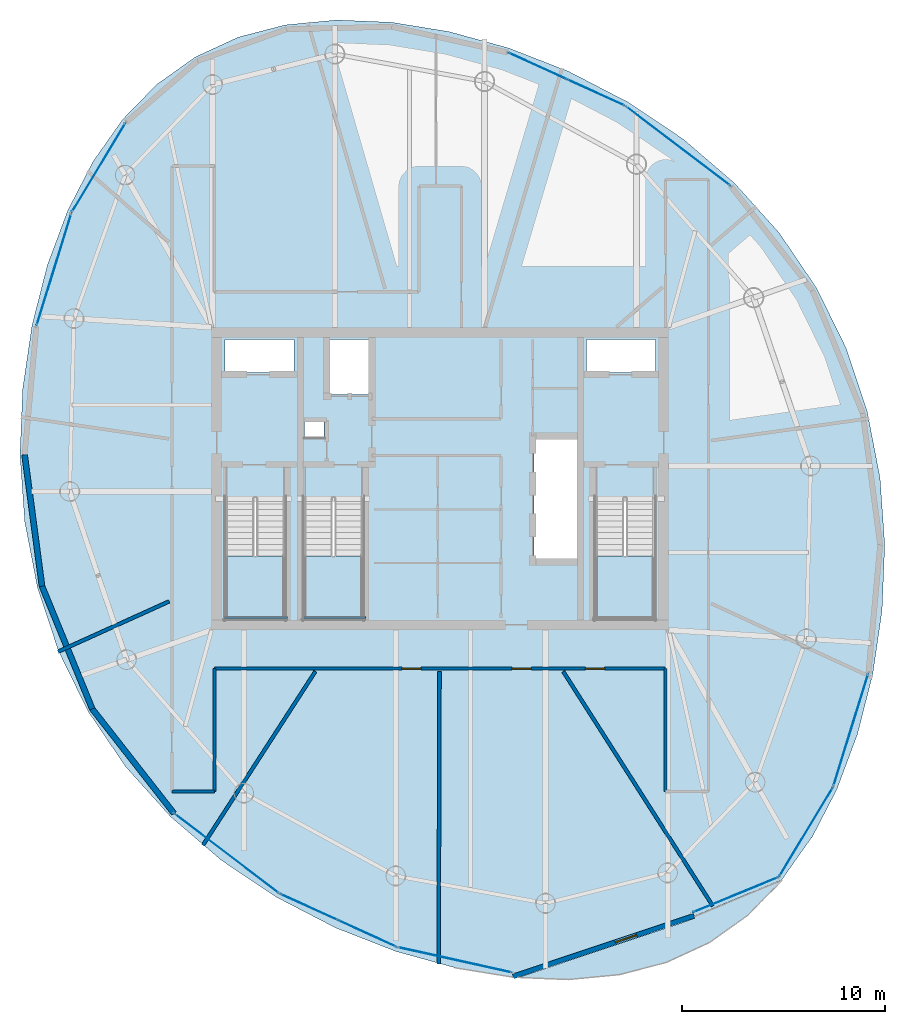
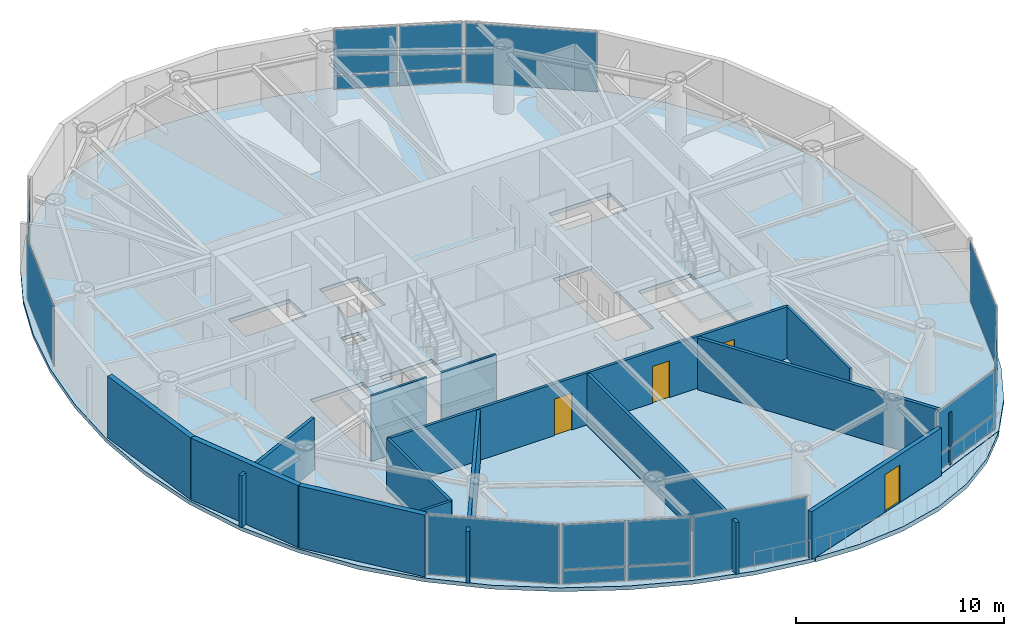
# One storey, part 13 of 19: 18 plates, 14 walls, 5 slabs, 4 doors, 4 openings, 13 elements without a shape of their own.
"""IFC4 building model written with IfcOpenShell, lengths in metres."""

from ifc_helpers import new_model, si_unit, direction, frame, frame_2d, origin, origin_2d, place, context, subcontext, project, spatial, polyline, rectangle, outline, extrude, material, layer, layer_set, type_object, element, fill, aggregate, save


model = new_model("IFC4")

# Units and contexts
model_context = context("Model", 3, precision=1e-05, world=origin(), true_north=direction((0.0, 1.0)))
body_context = subcontext(model_context, "Body", "Model", "MODEL_VIEW")
ifc_project = project(units=[si_unit("LENGTHUNIT", "METRE"), si_unit("AREAUNIT", "SQUARE_METRE"), si_unit("VOLUMEUNIT", "CUBIC_METRE"), si_unit("PLANEANGLEUNIT", "RADIAN"), si_unit("MASSUNIT", "GRAM", prefix="KILO")], contexts=[model_context])

# Site, building, storey
site_placement = place(None, origin())
site = spatial("IfcSite", under=ifc_project, at=site_placement, CompositionType="ELEMENT")
building_placement = place(site_placement, origin())
building = spatial("IfcBuilding", under=site, at=building_placement, Name="Bramvorn Convention Spire", CompositionType="ELEMENT")
storey_placement = place(building_placement, frame((0.0, 0.0, 272.85009765625)))
storey = spatial("IfcBuildingStorey", under=building, at=storey_placement, Name="L69", CompositionType="ELEMENT", Elevation=272.85009765625)

# Curtain wall, plate
ifc_material_1 = material(Name="Anodised Bronze Unitised Curtain Wall", Category="aluminium")
ifc_layer_1 = layer(ifc_material_1, 0.179931640625)
ifc_layer_set_1 = layer_set([ifc_layer_1], Name="Anodised Bronze Unitised Curtain Wall - CW-OFF-FRIT")
curtain_wall_type_1 = type_object("IfcCurtainWallType", Name="CW-OFF-FRIT", PredefinedType="USERDEFINED", material=ifc_layer_set_1)
curtain_wall_1_placement = place(storey_placement, origin())
curtain_wall_1 = element("IfcCurtainWall", 1, at=curtain_wall_1_placement, inside=storey, type_object=curtain_wall_type_1, Name="L69 fritted glass curtain wall 03", ObjectType="UNITISED CURTAIN WALL", PredefinedType="USERDEFINED")
ifc_material_2 = material(Name="Laminated Low-E Glass (Triple IGU High-VLT Low-Iron 22%)", Category="glass")
ifc_layer_2 = layer(ifc_material_2, 0.0419921875)
ifc_layer_set_2 = layer_set([ifc_layer_2], Name="Laminated Low-E Glass (Triple IGU High-VLT Low-Iron 22%) - PNL-IGU-4")
plate_type_1 = type_object("IfcPlateType", Name="PNL-IGU-4", PredefinedType="CURTAIN_PANEL", material=ifc_layer_set_2)
plate_1_placement = place(storey_placement, frame((58.212890625, 13.63037109375, 0.06005859375), z_axis=(0.0, 0.0, 1.0), x_axis=(-0.295804972935, -0.955248354087, 0.0)))
plate_1 = element("IfcPlate", 2, at=plate_1_placement, type_object=plate_type_1, Name="CW3 panel 1.1", PredefinedType="CURTAIN_PANEL", context=body_context, shape_type="SweptSolid", body=[
    extrude(rectangle(XDim=5.739990234375, YDim=0.028076171875, at=origin_2d()), origin(), (0.0, 0.0, 1.0), 3.5048828125),
])
aggregate(curtain_wall_1, [plate_1])

curtain_wall_2_placement = place(storey_placement, origin())
curtain_wall_2 = element("IfcCurtainWall", 3, at=curtain_wall_2_placement, inside=storey, type_object=curtain_wall_type_1, Name="L69 fritted glass curtain wall 08", ObjectType="UNITISED CURTAIN WALL", PredefinedType="USERDEFINED")
plate_2_placement = place(storey_placement, frame((49.708984375, 42.373779296875, 0.06005859375), z_axis=(0.0, 0.0, 1.0), x_axis=(0.796081283807, -0.605189713703, 0.0)))
plate_2 = element("IfcPlate", 4, at=plate_2_placement, type_object=plate_type_1, Name="CW3 panel 1.1", PredefinedType="CURTAIN_PANEL", context=body_context, shape_type="SweptSolid", body=[
    extrude(rectangle(XDim=6.40625, YDim=0.028076171875, at=origin_2d()), origin(), (0.0, 0.0, 1.0), 3.5048828125),
])
aggregate(curtain_wall_2, [plate_2])

# Curtain wall, plates
curtain_wall_3_placement = place(storey_placement, origin())
curtain_wall_3 = element("IfcCurtainWall", 5, at=curtain_wall_3_placement, inside=storey, type_object=curtain_wall_type_1, Name="L69 fritted glass curtain wall 09", ObjectType="UNITISED CURTAIN WALL", PredefinedType="USERDEFINED")
plate_3_placement = place(storey_placement, frame((42.793701171875, 46.313720703125, 0.059814453125), z_axis=(0.0, 0.0, 1.0), x_axis=(0.910169914936, -0.414235109502, 0.0)))
plate_3 = element("IfcPlate", 6, at=plate_3_placement, type_object=plate_type_1, Name="CW3 panel 1.1", PredefinedType="CURTAIN_PANEL", context=body_context, shape_type="SweptSolid", body=[
    extrude(rectangle(XDim=3.08251953125, YDim=0.028076171875, at=origin_2d()), origin(), (0.0, 0.0, 1.0), 0.81005859375),
])
plate_4_placement = place(storey_placement, frame((42.793701171875, 46.313720703125, 0.9296875), z_axis=(0.0, 0.0, 1.0), x_axis=(0.910169914936, -0.414235109502, 0.0)))
plate_4 = element("IfcPlate", 7, at=plate_4_placement, type_object=plate_type_1, Name="CW3 panel 1.2", PredefinedType="CURTAIN_PANEL", context=body_context, shape_type="SweptSolid", body=[
    extrude(rectangle(XDim=3.08251953125, YDim=0.028076171875, at=origin_2d()), origin(), (0.0, 0.0, 1.0), 2.635009765625),
])
plate_5_placement = place(storey_placement, frame((45.654052734375, 45.011962890625, 0.059814453125), z_axis=(0.0, 0.0, 1.0), x_axis=(0.910169914936, -0.414235109502, 0.0)))
plate_5 = element("IfcPlate", 8, at=plate_5_placement, type_object=plate_type_1, Name="CW3 panel 2.1", PredefinedType="CURTAIN_PANEL", context=body_context, shape_type="SweptSolid", body=[
    extrude(rectangle(XDim=3.08251953125, YDim=0.028076171875, at=origin_2d()), origin(), (0.0, 0.0, 1.0), 0.81005859375),
])
plate_6_placement = place(storey_placement, frame((45.654052734375, 45.011962890625, 0.9296875), z_axis=(0.0, 0.0, 1.0), x_axis=(0.910169914936, -0.414235109502, 0.0)))
plate_6 = element("IfcPlate", 9, at=plate_6_placement, type_object=plate_type_1, Name="CW3 panel 2.2", PredefinedType="CURTAIN_PANEL", context=body_context, shape_type="SweptSolid", body=[
    extrude(rectangle(XDim=3.08251953125, YDim=0.028076171875, at=origin_2d()), origin(), (0.0, 0.0, 1.0), 2.635009765625),
])
aggregate(curtain_wall_3, [plate_3, plate_4, plate_5, plate_6])

# Curtain wall, plate
curtain_wall_4_placement = place(storey_placement, origin())
curtain_wall_4 = element("IfcCurtainWall", 10, at=curtain_wall_4_placement, inside=storey, type_object=curtain_wall_type_1, Name="L69 fritted glass curtain wall 14", ObjectType="UNITISED CURTAIN WALL", PredefinedType="USERDEFINED")
plate_7_placement = place(storey_placement, frame((21.194580078125, 41.311767578125, 0.06005859375), z_axis=(0.0, 0.0, 1.0), x_axis=(0.515696319455, 0.856771443327, 0.0)))
plate_7 = element("IfcPlate", 11, at=plate_7_placement, type_object=plate_type_1, Name="CW3 panel 1.1", PredefinedType="CURTAIN_PANEL", context=body_context, shape_type="SweptSolid", body=[
    extrude(rectangle(XDim=5.059326171875, YDim=0.028076171875, at=origin_2d()), origin(), (0.0, 0.0, 1.0), 3.5048828125),
])
aggregate(curtain_wall_4, [plate_7])

curtain_wall_5_placement = place(storey_placement, origin())
curtain_wall_5 = element("IfcCurtainWall", 12, at=curtain_wall_5_placement, inside=storey, type_object=curtain_wall_type_1, Name="L69 fritted glass curtain wall 15", ObjectType="UNITISED CURTAIN WALL", PredefinedType="USERDEFINED")
plate_8_placement = place(storey_placement, frame((18.992431640625, 36.294189453125, 0.06005859375), z_axis=(0.0, 0.0, 1.0), x_axis=(0.295820544624, 0.955243531974, 0.0)))
plate_8 = element("IfcPlate", 13, at=plate_8_placement, type_object=plate_type_1, Name="CW3 panel 1.1", PredefinedType="CURTAIN_PANEL", context=body_context, shape_type="SweptSolid", body=[
    extrude(rectangle(XDim=5.739990234375, YDim=0.028076171875, at=origin_2d()), origin(), (0.0, 0.0, 1.0), 3.5048828125),
])
aggregate(curtain_wall_5, [plate_8])

curtain_wall_6_placement = place(storey_placement, origin())
curtain_wall_6 = element("IfcCurtainWall", 14, at=curtain_wall_6_placement, inside=storey, type_object=curtain_wall_type_1, Name="L69 fritted glass curtain wall 20", ObjectType="UNITISED CURTAIN WALL", PredefinedType="USERDEFINED")
plate_9_placement = place(storey_placement, frame((27.496337890625, 7.55078125, 0.06005859375), z_axis=(0.0, 0.0, 1.0), x_axis=(-0.796075671656, 0.605197095992, 0.0)))
plate_9 = element("IfcPlate", 15, at=plate_9_placement, type_object=plate_type_1, Name="CW3 panel 1.1", PredefinedType="CURTAIN_PANEL", context=body_context, shape_type="SweptSolid", body=[
    extrude(rectangle(XDim=6.40625, YDim=0.028076171875, at=origin_2d()), origin(), (0.0, 0.0, 1.0), 3.5048828125),
])
aggregate(curtain_wall_6, [plate_9])

# Curtain wall, plates
curtain_wall_7_placement = place(storey_placement, origin())
curtain_wall_7 = element("IfcCurtainWall", 16, at=curtain_wall_7_placement, inside=storey, type_object=curtain_wall_type_1, Name="L69 fritted glass curtain wall 21", ObjectType="UNITISED CURTAIN WALL", PredefinedType="USERDEFINED")
plate_10_placement = place(storey_placement, frame((34.411865234375, 3.61083984375, 0.059814453125), z_axis=(0.0, 0.0, 1.0), x_axis=(-0.910172619139, 0.414229167696, 0.0)))
plate_10 = element("IfcPlate", 17, at=plate_10_placement, type_object=plate_type_1, Name="CW3 panel 1.1", PredefinedType="CURTAIN_PANEL", context=body_context, shape_type="SweptSolid", body=[
    extrude(rectangle(XDim=3.08251953125, YDim=0.028076171875, at=origin_2d()), origin(), (0.0, 0.0, 1.0), 0.81005859375),
])
plate_11_placement = place(storey_placement, frame((34.411865234375, 3.61083984375, 0.9296875), z_axis=(0.0, 0.0, 1.0), x_axis=(-0.910172619139, 0.414229167696, 0.0)))
plate_11 = element("IfcPlate", 18, at=plate_11_placement, type_object=plate_type_1, Name="CW3 panel 1.2", PredefinedType="CURTAIN_PANEL", context=body_context, shape_type="SweptSolid", body=[
    extrude(rectangle(XDim=3.08251953125, YDim=0.028076171875, at=origin_2d()), origin(), (0.0, 0.0, 1.0), 2.635009765625),
])
plate_12_placement = place(storey_placement, frame((31.551513671875, 4.91259765625, 0.059814453125), z_axis=(0.0, 0.0, 1.0), x_axis=(-0.910172619139, 0.414229167696, 0.0)))
plate_12 = element("IfcPlate", 19, at=plate_12_placement, type_object=plate_type_1, Name="CW3 panel 2.1", PredefinedType="CURTAIN_PANEL", context=body_context, shape_type="SweptSolid", body=[
    extrude(rectangle(XDim=3.08251953125, YDim=0.028076171875, at=origin_2d()), origin(), (0.0, 0.0, 1.0), 0.81005859375),
])
plate_13_placement = place(storey_placement, frame((31.551513671875, 4.91259765625, 0.9296875), z_axis=(0.0, 0.0, 1.0), x_axis=(-0.910172619139, 0.414229167696, 0.0)))
plate_13 = element("IfcPlate", 20, at=plate_13_placement, type_object=plate_type_1, Name="CW3 panel 2.2", PredefinedType="CURTAIN_PANEL", context=body_context, shape_type="SweptSolid", body=[
    extrude(rectangle(XDim=3.08251953125, YDim=0.028076171875, at=origin_2d()), origin(), (0.0, 0.0, 1.0), 2.635009765625),
])
aggregate(curtain_wall_7, [plate_10, plate_11, plate_12, plate_13])

# Curtain wall, plate
curtain_wall_8_placement = place(storey_placement, origin())
curtain_wall_8 = element("IfcCurtainWall", 21, at=curtain_wall_8_placement, inside=storey, type_object=curtain_wall_type_1, Name="L69 fritted glass curtain wall 22", ObjectType="UNITISED CURTAIN WALL", PredefinedType="USERDEFINED")
plate_14_placement = place(storey_placement, frame((38.72998046875, 2.313720703125, 0.06005859375), z_axis=(0.0, 0.0, 1.0), x_axis=(-0.976319782802, 0.216332340877, 0.0)))
plate_14 = element("IfcPlate", 22, at=plate_14_placement, type_object=plate_type_1, Name="CW3 panel 1.1", PredefinedType="CURTAIN_PANEL", context=body_context, shape_type="SweptSolid", body=[
    extrude(rectangle(XDim=5.739990234375, YDim=0.028076171875, at=origin_2d()), origin(), (0.0, 0.0, 1.0), 3.5048828125),
])
aggregate(curtain_wall_8, [plate_14])

# Curtain wall, plates
ifc_layer_3 = layer(ifc_material_1, 0.219970703125)
ifc_layer_set_3 = layer_set([ifc_layer_3], Name="Anodised Bronze Unitised Curtain Wall - CW-SKYGARDEN")
curtain_wall_type_2 = type_object("IfcCurtainWallType", Name="CW-SKYGARDEN", PredefinedType="USERDEFINED", material=ifc_layer_set_3)
curtain_wall_9_placement = place(storey_placement, origin())
curtain_wall_9 = element("IfcCurtainWall", 23, at=curtain_wall_9_placement, inside=storey, type_object=curtain_wall_type_2, Name="L69 Sky Garden glazed facade 01", ObjectType="WINTER GARDEN GLAZING", PredefinedType="USERDEFINED")
ifc_material_3 = material(Name="Laminated Low-E Glass (Acoustic Laminated Podium Triple IGU)", Category="glass")
ifc_layer_4 = layer(ifc_material_3, 0.0458984375)
ifc_layer_set_4 = layer_set([ifc_layer_4], Name="Laminated Low-E Glass (Acoustic Laminated Podium Triple IGU) - PNL-IGU-5")
plate_type_2 = type_object("IfcPlateType", Name="PNL-IGU-5", PredefinedType="CURTAIN_PANEL", material=ifc_layer_set_4)
plate_15_placement = place(storey_placement, frame((52.541259765625, 5.516845703125, 0.06005859375), z_axis=(0.0, 0.0, 1.0), x_axis=(-0.924880367056, -0.380258210477, 0.0)))
plate_15 = element("IfcPlate", 24, at=plate_15_placement, type_object=plate_type_2, Name="CW4 panel 1.1", PredefinedType="CURTAIN_PANEL", context=body_context, shape_type="SweptSolid", body=[
    extrude(rectangle(XDim=4.494873046875, YDim=0.028076171875, at=origin_2d()), origin(), (0.0, 0.0, 1.0), 0.909912109375),
])
plate_16_placement = place(storey_placement, frame((52.541259765625, 5.516845703125, 1.02978515625), z_axis=(0.0, 0.0, 1.0), x_axis=(-0.924880367056, -0.380258210477, 0.0)))
plate_16 = element("IfcPlate", 25, at=plate_16_placement, type_object=plate_type_2, Name="CW4 panel 1.2", PredefinedType="CURTAIN_PANEL", context=body_context, shape_type="SweptSolid", body=[
    extrude(rectangle(XDim=4.494873046875, YDim=0.028076171875, at=origin_2d()), origin(), (0.0, 0.0, 1.0), 2.534912109375),
])
aggregate(curtain_wall_9, [plate_15, plate_16])

curtain_wall_10_placement = place(storey_placement, origin())
curtain_wall_10 = element("IfcCurtainWall", 26, at=curtain_wall_10_placement, inside=storey, type_object=curtain_wall_type_2, Name="L69 Sky Garden glazed facade 02", ObjectType="WINTER GARDEN GLAZING", PredefinedType="USERDEFINED")
plate_17_placement = place(storey_placement, frame((56.0107421875, 8.61279296875, 0.06005859375), z_axis=(0.0, 0.0, 1.0), x_axis=(-0.5157104924, -0.856762912379, 0.0)))
plate_17 = element("IfcPlate", 27, at=plate_17_placement, type_object=plate_type_2, Name="CW4 panel 1.1", PredefinedType="CURTAIN_PANEL", context=body_context, shape_type="SweptSolid", body=[
    extrude(rectangle(XDim=5.059326171875, YDim=0.028076171875, at=origin_2d()), origin(), (0.0, 0.0, 1.0), 0.909912109375),
])
plate_18_placement = place(storey_placement, frame((56.0107421875, 8.61279296875, 1.02978515625), z_axis=(0.0, 0.0, 1.0), x_axis=(-0.5157104924, -0.856762912379, 0.0)))
plate_18 = element("IfcPlate", 28, at=plate_18_placement, type_object=plate_type_2, Name="CW4 panel 1.2", PredefinedType="CURTAIN_PANEL", context=body_context, shape_type="SweptSolid", body=[
    extrude(rectangle(XDim=5.059326171875, YDim=0.028076171875, at=origin_2d()), origin(), (0.0, 0.0, 1.0), 2.534912109375),
])
aggregate(curtain_wall_10, [plate_17, plate_18])

# Slab
ifc_material_4 = material(Name="Concrete C40/50 Sky-Garden Terrace Slab", Category="concrete")
ifc_layer_5 = layer(ifc_material_4, 0.260009765625)
ifc_layer_set_5 = layer_set([ifc_layer_5], Name="Concrete C40/50 Sky-Garden Terrace Slab - SLB-SKYGARDEN-260")
slab_type_1 = type_object("IfcSlabType", Name="SLB-SKYGARDEN-260", PredefinedType="FLOOR", material=ifc_layer_set_5)
slab_1_placement = place(storey_placement, frame((0.0, 0.0, -0.260009765625)))
element("IfcSlab", 29, at=slab_1_placement, inside=storey, type_object=slab_type_1, Name="L69 planted double-height Sky Garden terrace slab", PredefinedType="FLOOR", context=body_context, shape_type="SweptSolid", body=[
    extrude(outline(polyline([(54.827880859375, 6.237060546875), (50.5185546875, 4.447509765625), (50.273193359375, 4.27001953125), (41.852783203125, 1.451416015625), (44.30224609375, 1.3486328125), (46.8291015625, 1.591064453125), (49.15185546875, 2.196533203125), (51.259765625, 3.171630859375), (53.151123046875, 4.51953125), (54.827880859375, 6.237060546875)])), origin(), (0.0, 0.0, 1.0), 0.260009765625),
])

# Stair, slab
ifc_material_5 = material(Name="Concrete C40/50 Precast Stair", Category="concrete")
stair_type = type_object("IfcStairType", Name="ST-TOWER-1550", PredefinedType="HALF_TURN_STAIR", material=ifc_material_5)
stair_1_placement = place(storey_placement, origin())
stair_1 = element("IfcStair", 30, at=stair_1_placement, inside=storey, type_object=stair_type, Name="L69 Protected Exit Stair ST1", PredefinedType="HALF_TURN_STAIR")
ifc_material_6 = material(Name="Concrete C40/50 Stair Landing", Category="concrete")
ifc_layer_6 = layer(ifc_material_6, 0.219970703125)
ifc_layer_set_6 = layer_set([ifc_layer_6], Name="Concrete C40/50 Stair Landing - SLB-STAIR-LANDING")
slab_type_2 = type_object("IfcSlabType", Name="SLB-STAIR-LANDING", PredefinedType="LANDING", material=ifc_layer_set_6)
slab_2_placement = place(storey_placement, frame((0.0, 0.0, 1.724853515625)))
slab_2 = element("IfcSlab", 31, at=slab_2_placement, type_object=slab_type_2, Name="ST1 landing 1", PredefinedType="LANDING", context=body_context, shape_type="SweptSolid", body=[
    extrude(outline(polyline([(27.449951171875, 22.199951171875), (27.449951171875, 19.10009765625), (30.35009765625, 19.10009765625), (30.35009765625, 22.199951171875), (27.449951171875, 22.199951171875)])), origin(), (0.0, 0.0, 1.0), 0.199951171875),
])
aggregate(stair_1, [slab_2])

stair_2_placement = place(storey_placement, origin())
stair_2 = element("IfcStair", 32, at=stair_2_placement, inside=storey, type_object=stair_type, Name="L69 Protected Exit Stair ST2", PredefinedType="HALF_TURN_STAIR")
slab_3_placement = place(storey_placement, frame((0.0, 0.0, 1.724853515625)))
slab_3 = element("IfcSlab", 33, at=slab_3_placement, type_object=slab_type_2, Name="ST2 landing 1", PredefinedType="LANDING", context=body_context, shape_type="SweptSolid", body=[
    extrude(outline(polyline([(45.64990234375, 22.199951171875), (45.64990234375, 19.10009765625), (48.550048828125, 19.10009765625), (48.550048828125, 22.199951171875), (45.64990234375, 22.199951171875)])), origin(), (0.0, 0.0, 1.0), 0.199951171875),
])
aggregate(stair_2, [slab_3])

stair_3_placement = place(storey_placement, origin())
stair_3 = element("IfcStair", 34, at=stair_3_placement, inside=storey, type_object=stair_type, Name="L69 Protected Exit Stair ST3", PredefinedType="HALF_TURN_STAIR")
slab_4_placement = place(storey_placement, frame((0.0, 0.0, 1.724853515625)))
slab_4 = element("IfcSlab", 35, at=slab_4_placement, type_object=slab_type_2, Name="ST3 landing 1", PredefinedType="LANDING", context=body_context, shape_type="SweptSolid", body=[
    extrude(outline(polyline([(31.300048828125, 22.199951171875), (31.300048828125, 19.10009765625), (34.199951171875, 19.10009765625), (34.199951171875, 22.199951171875), (31.300048828125, 22.199951171875)])), origin(), (0.0, 0.0, 1.0), 0.199951171875),
])
aggregate(stair_3, [slab_4])

# Slab
ifc_material_7 = material(Name="Concrete C40/50", Category="concrete")
ifc_layer_7 = layer(ifc_material_7, 0.22509765625)
ifc_layer_set_7 = layer_set([ifc_layer_7], Name="Concrete C40/50 - SLB-Z4-225")
slab_type_3 = type_object("IfcSlabType", Name="SLB-Z4-225", PredefinedType="FLOOR", material=ifc_layer_set_7)
slab_5_placement = place(storey_placement, frame((0.0, 0.0, -0.22509765625)))
element("IfcSlab", 36, at=slab_5_placement, inside=storey, type_object=slab_type_3, Name="L69 tower floor slab", PredefinedType="FLOOR", context=body_context, shape_type="SweptSolid", body=[
    extrude(outline(polyline([(41.594970703125, 1.462158203125), (38.74658203125, 1.925537109375), (35.81298828125, 2.735107421875), (32.863525390625, 3.8876953125), (29.97802734375, 5.38134765625), (27.239990234375, 7.2099609375), (24.730712890625, 9.3623046875), (22.5224609375, 11.818359375), (20.672119140625, 14.54736328125), (19.21826171875, 17.5068359375), (18.178955078125, 20.64208984375), (17.552734375, 23.887939453125), (17.32080078125, 27.172119140625), (17.453125, 30.418701171875), (17.9130859375, 33.5517578125), (18.66357421875, 36.501220703125), (19.672119140625, 39.204833984375), (20.9150390625, 41.61279296875), (22.377685546875, 43.6875), (24.05419921875, 45.4052734375), (25.945556640625, 46.753173828125), (28.053466796875, 47.728271484375), (30.376220703125, 48.33349609375), (32.9033203125, 48.575927734375), (35.610595703125, 48.462646484375), (38.458984375, 47.999267578125), (41.392578125, 47.189697265625), (44.341796875, 46.036865234375), (47.2275390625, 44.543212890625), (49.965576171875, 42.714599609375), (52.474609375, 40.5625), (54.68310546875, 38.1064453125), (56.533447265625, 35.377197265625), (57.9873046875, 32.41796875), (59.026611328125, 29.28271484375), (59.65283203125, 26.036865234375), (59.884521484375, 22.75244140625), (59.752197265625, 19.506103515625), (59.29248046875, 16.372802734375), (58.5419921875, 13.423583984375), (57.533203125, 10.719970703125), (56.290283203125, 8.31201171875), (56.27880859375, 8.295654296875), (56.274169921875, 8.323486328125), (54.81494140625, 6.25341796875), (50.510986328125, 4.466064453125), (50.27001953125, 4.279541015625), (41.824951171875, 1.452392578125), (41.594970703125, 1.462158203125)]), holes=[polyline([(27.449951171875, 25.050048828125), (27.449951171875, 19.10009765625), (30.35009765625, 19.10009765625), (30.35009765625, 25.050048828125), (27.449951171875, 25.050048828125)]), polyline([(45.64990234375, 25.050048828125), (45.64990234375, 19.10009765625), (48.550048828125, 19.10009765625), (48.550048828125, 25.050048828125), (45.64990234375, 25.050048828125)]), polyline([(31.300048828125, 25.050048828125), (31.300048828125, 19.10009765625), (34.199951171875, 19.10009765625), (34.199951171875, 25.050048828125), (31.300048828125, 25.050048828125)]), polyline([(27.39990234375, 31.219970703125), (30.800048828125, 31.219970703125), (30.800048828125, 32.85009765625), (27.39990234375, 32.85009765625), (27.39990234375, 31.219970703125)]), polyline([(45.199951171875, 31.219970703125), (48.60009765625, 31.219970703125), (48.60009765625, 32.85009765625), (45.199951171875, 32.85009765625), (45.199951171875, 31.219970703125)]), polyline([(32.449951171875, 30.14990234375), (34.56005859375, 30.14990234375), (34.56005859375, 32.85009765625), (32.449951171875, 32.85009765625), (32.449951171875, 30.14990234375)]), polyline([(42.6201171875, 22.0), (44.75, 22.0), (44.75, 28.0), (42.6201171875, 28.0), (42.6201171875, 22.0)]), polyline([(31.320068359375, 28.02001953125), (32.280029296875, 28.02001953125), (32.280029296875, 28.820068359375), (31.320068359375, 28.820068359375), (31.320068359375, 28.02001953125)])]), origin(), (0.0, 0.0, 1.0), 0.22509765625),
])

# Walls
ifc_material_8 = material(Name="Precast Concrete C40/50 with Bronze Terracotta Rainscreen", Category="masonry")
ifc_layer_8 = layer(ifc_material_8, 0.300048828125)
ifc_layer_set_8 = layer_set([ifc_layer_8], Name="Precast Concrete C40/50 with Bronze Terracotta Rainscreen - WL-EXT-BRONZE-300")
wall_type_1 = type_object("IfcWallType", Name="WL-EXT-BRONZE-300", PredefinedType="SOLIDWALL", material=ifc_layer_set_8)
wall_1_placement = place(storey_placement, frame((18.404052734375, 20.706787109375, 0.0), z_axis=(0.0, 0.0, 1.0), x_axis=(-0.131269273367, 0.991346749563, 0.0)))
element("IfcWall", 37, at=wall_1_placement, inside=storey, type_object=wall_type_1, Name="L69 expressed bronze Gothic lancet pier wall 17", PredefinedType="SOLIDWALL", context=body_context, shape_type="SweptSolid", body=[
    extrude(rectangle(XDim=6.526123046875, YDim=0.280029296875, at=frame_2d((3.26318359375, 0.0))), origin(), (0.0, 0.0, 1.0), 3.625),
])
for number, where, z_axis, x_axis, name in (
    (38, (20.87744140625, 14.666748046875, 0.0), (0.0, 0.0, 1.0), (-0.378956165917, 0.925414622919, 0.0), "L69 expressed bronze Gothic lancet pier wall 18"),
    (39, (24.898681640625, 9.525634765625, 0.0), (0.0, 0.0, 1.0), (-0.616095430503, 0.787671518155, 0.0), "L69 expressed bronze Gothic lancet pier wall 19"),
):
    element("IfcWall", number, at=place(storey_placement, frame(where, z_axis=z_axis, x_axis=x_axis)), inside=storey, type_object=wall_type_1, Name=name, PredefinedType="SOLIDWALL", context=body_context, shape_type="SweptSolid", body=[
        extrude(rectangle(XDim=6.52685546875, YDim=0.280029296875, at=frame_2d((3.263427734375, 0.0))), origin(), (0.0, 0.0, 1.0), 3.625),
    ])

# Wall, opening, door
ifc_material_9 = material(Name="Precast Concrete C40/50 Insulated Terrace Wall", Category="concrete")
ifc_layer_9 = layer(ifc_material_9, 0.280029296875)
ifc_layer_set_9 = layer_set([ifc_layer_9], Name="Precast Concrete C40/50 Insulated Terrace Wall - WL-EXT-TERR-280")
wall_type_2 = type_object("IfcWallType", Name="WL-EXT-TERR-280", PredefinedType="SOLIDWALL", material=ifc_layer_set_9)
wall_2_placement = place(storey_placement, frame((50.498291015625, 4.482421875, 0.0), z_axis=(0.0, 0.0, 1.0), x_axis=(-0.948279524467, -0.317436518815, 0.0)))
wall_2 = element("IfcWall", 40, at=wall_2_placement, inside=storey, type_object=wall_type_2, Name="L69 Sky Garden recessed terrace wall", PredefinedType="SOLIDWALL", context=body_context, shape_type="SweptSolid", body=[
    extrude(rectangle(XDim=9.389892578125, YDim=0.239990234375, at=frame_2d((4.69482421875, 0.0))), origin(), (0.0, 0.0, 1.0), 2.7998046875),
])
opening_1_placement = place(wall_2_placement, frame((2.984375, 0.0, 0.0)))
opening_1 = element("IfcOpeningElement", 41, at=opening_1_placement, cuts=wall_2, Name="Opening DE05", PredefinedType="OPENING", context=body_context, shape_type="SweptSolid", body=[
    extrude(rectangle(XDim=1.10009765625, YDim=2.199951171875, at=frame_2d((0.550048828125, 1.10009765625))), frame((0.0, 0.1298828125, 0.0), z_axis=(0.0, -1.0, 0.0), x_axis=(1.0, 0.0, 0.0)), (0.0, 0.0, 1.0), 0.260009765625),
])
ifc_material_10 = material(Name="Anodised Bronze Aluminium & Laminated Safety Glass", Category="aluminium")
door_type_1 = type_object("IfcDoorType", Name="DR-EXT-1100X2200", OperationType="NOTDEFINED", PredefinedType="DOOR", material=ifc_material_10)
door_1_placement = place(opening_1_placement, origin())
door_1 = element("IfcDoor", 42, at=door_1_placement, inside=storey, type_object=door_type_1, Name="L69 Sky Garden Lounge exterior terrace door", OperationType="SINGLE_SWING_LEFT", OverallHeight=2.199951171875, OverallWidth=1.10009765625, PredefinedType="DOOR", context=body_context, shape_type="SweptSolid", body=[
    extrude(rectangle(XDim=1.10009765625, YDim=2.199951171875, at=frame_2d((0.550048828125, 1.10009765625))), frame((0.0, 0.02490234375, 0.0), z_axis=(0.0, -1.0, 0.0), x_axis=(1.0, 0.0, 0.0)), (0.0, 0.0, 1.0), 0.050048828125),
])
fill(opening_1, door_1)

# Wall, openings, doors
ifc_material_11 = material(Name="Acoustic Metal-Stud Tenant/Corridor Partition", Category="gypsum")
ifc_layer_10 = layer(ifc_material_11, 0.14990234375)
ifc_layer_set_10 = layer_set([ifc_layer_10], Name="Acoustic Metal-Stud Tenant/Corridor Partition - WL-PART-150")
wall_type_3 = type_object("IfcWallType", Name="WL-PART-150", PredefinedType="PARTITIONING", material=ifc_layer_set_10)
wall_3_placement = place(storey_placement, frame((26.89990234375, 16.64990234375, 0.0), z_axis=(0.0, 0.0, 1.0), x_axis=(1.0, 0.0, 0.0)))
wall_3 = element("IfcWall", 43, at=wall_3_placement, inside=storey, type_object=wall_type_3, Name="L69 South H-crossbar wall", PredefinedType="PARTITIONING", context=body_context, shape_type="SweptSolid", body=[
    extrude(rectangle(XDim=22.2001953125, YDim=0.14990234375, at=frame_2d((11.10009765625, 0.0))), origin(), (0.0, 0.0, 1.0), 3.039794921875),
])
opening_2_placement = place(wall_3_placement, frame((9.216796875, 0.0, 0.0)))
opening_2 = element("IfcOpeningElement", 44, at=opening_2_placement, cuts=wall_3, Name="Opening DH-095", PredefinedType="OPENING", context=body_context, shape_type="SweptSolid", body=[
    extrude(rectangle(XDim=0.949951171875, YDim=2.14990234375, at=frame_2d((0.47509765625, 1.074951171875))), frame((0.0, 0.0849609375, 0.0), z_axis=(0.0, -1.0, 0.0), x_axis=(1.0, 0.0, 0.0)), (0.0, 0.0, 1.0), 0.169921875),
])
opening_3_placement = place(wall_3_placement, frame((14.635986328125, 0.0, 0.0)))
opening_3 = element("IfcOpeningElement", 45, at=opening_3_placement, cuts=wall_3, Name="Opening DH-095", PredefinedType="OPENING", context=body_context, shape_type="SweptSolid", body=[
    extrude(rectangle(XDim=0.949951171875, YDim=2.14990234375, at=frame_2d((0.47509765625, 1.074951171875))), frame((0.0, 0.0849609375, 0.0), z_axis=(0.0, -1.0, 0.0), x_axis=(1.0, 0.0, 0.0)), (0.0, 0.0, 1.0), 0.169921875),
])
opening_4_placement = place(wall_3_placement, frame((18.24560546875, 0.0, 0.0)))
opening_4 = element("IfcOpeningElement", 46, at=opening_4_placement, cuts=wall_3, Name="Opening DH-095", PredefinedType="OPENING", context=body_context, shape_type="SweptSolid", body=[
    extrude(rectangle(XDim=0.949951171875, YDim=2.14990234375, at=frame_2d((0.47509765625, 1.074951171875))), frame((0.0, 0.0849609375, 0.0), z_axis=(0.0, -1.0, 0.0), x_axis=(1.0, 0.0, 0.0)), (0.0, 0.0, 1.0), 0.169921875),
])
ifc_material_12 = material(Name="Solid-Core Acoustic Guestroom Entry Door", Category="wood")
door_type_2 = type_object("IfcDoorType", Name="DR-HOTEL-950", OperationType="NOTDEFINED", PredefinedType="DOOR", material=ifc_material_12)
door_2_placement = place(opening_2_placement, origin())
door_2 = element("IfcDoor", 47, at=door_2_placement, inside=storey, type_object=door_type_2, Name="L69 Refreshment Kitchen 8 door", OperationType="SINGLE_SWING_RIGHT", OverallHeight=2.14990234375, OverallWidth=0.949951171875, PredefinedType="DOOR", context=body_context, shape_type="SweptSolid", body=[
    extrude(rectangle(XDim=0.949951171875, YDim=2.14990234375, at=frame_2d((0.47509765625, 1.074951171875))), frame((0.0, 0.02490234375, 0.0), z_axis=(0.0, -1.0, 0.0), x_axis=(1.0, 0.0, 0.0)), (0.0, 0.0, 1.0), 0.050048828125),
])
fill(opening_2, door_2)
door_3_placement = place(opening_3_placement, origin())
door_3 = element("IfcDoor", 48, at=door_3_placement, inside=storey, type_object=door_type_2, Name="L69 Sky Garden Lounge door", OperationType="SINGLE_SWING_LEFT", OverallHeight=2.14990234375, OverallWidth=0.949951171875, PredefinedType="DOOR", context=body_context, shape_type="SweptSolid", body=[
    extrude(rectangle(XDim=0.949951171875, YDim=2.14990234375, at=frame_2d((0.47509765625, 1.074951171875))), frame((0.0, 0.02490234375, 0.0), z_axis=(0.0, -1.0, 0.0), x_axis=(1.0, 0.0, 0.0)), (0.0, 0.0, 1.0), 0.050048828125),
])
fill(opening_3, door_3)
door_4_placement = place(opening_4_placement, origin())
door_4 = element("IfcDoor", 49, at=door_4_placement, inside=storey, type_object=door_type_2, Name="L69 Tenant Briefing Room 10 door", OperationType="SINGLE_SWING_LEFT", OverallHeight=2.14990234375, OverallWidth=0.949951171875, PredefinedType="DOOR", context=body_context, shape_type="SweptSolid", body=[
    extrude(rectangle(XDim=0.949951171875, YDim=2.14990234375, at=frame_2d((0.47509765625, 1.074951171875))), frame((0.0, 0.02490234375, 0.0), z_axis=(0.0, -1.0, 0.0), x_axis=(1.0, 0.0, 0.0)), (0.0, 0.0, 1.0), 0.050048828125),
])
fill(opening_4, door_4)

# Walls
wall_4_placement = place(storey_placement, frame((26.89990234375, 10.60009765625, 0.0), z_axis=(0.0, 0.0, 1.0), x_axis=(0.0, 1.0, 0.0)))
element("IfcWall", 50, at=wall_4_placement, inside=storey, type_object=wall_type_3, Name="L69 West gallery SE wall", PredefinedType="PARTITIONING", context=body_context, shape_type="SweptSolid", body=[
    extrude(rectangle(XDim=6.0498046875, YDim=0.14990234375, at=frame_2d((3.02490234375, 0.0))), origin(), (0.0, 0.0, 1.0), 3.039794921875),
])
wall_5_placement = place(storey_placement, frame((24.800048828125, 10.60009765625, 0.0), z_axis=(0.0, 0.0, 1.0), x_axis=(1.0, 0.0, 0.0)))
element("IfcWall", 51, at=wall_5_placement, inside=storey, type_object=wall_type_3, Name="L69 West gallery south end", PredefinedType="PARTITIONING", context=body_context, shape_type="SweptSolid", body=[
    extrude(rectangle(XDim=2.099853515625, YDim=0.14990234375, at=frame_2d((1.0498046875, 0.0))), origin(), (0.0, 0.0, 1.0), 3.039794921875),
])
wall_6_placement = place(storey_placement, frame((49.10009765625, 10.60009765625, 0.0), z_axis=(0.0, 0.0, 1.0), x_axis=(0.0, 1.0, 0.0)))
element("IfcWall", 52, at=wall_6_placement, inside=storey, type_object=wall_type_3, Name="L69 East gallery SW wall", PredefinedType="PARTITIONING", context=body_context, shape_type="SweptSolid", body=[
    extrude(rectangle(XDim=6.0498046875, YDim=0.14990234375, at=frame_2d((3.02490234375, 0.0))), origin(), (0.0, 0.0, 1.0), 3.039794921875),
])
ifc_material_13 = material(Name="Double-Stud Acoustic Hotel/Suite Partition", Category="gypsum")
ifc_layer_11 = layer(ifc_material_13, 0.175048828125)
ifc_layer_set_11 = layer_set([ifc_layer_11], Name="Double-Stud Acoustic Hotel/Suite Partition - WL-PART-175")
wall_type_4 = type_object("IfcWallType", Name="WL-PART-175", PredefinedType="PARTITIONING", material=ifc_layer_set_11)
wall_7_placement = place(storey_placement, frame((24.659912109375, 19.958984375, 0.0), z_axis=(0.0, 0.0, 1.0), x_axis=(-0.910936871774, -0.412545773997, 0.0)))
element("IfcWall", 53, at=wall_7_placement, inside=storey, type_object=wall_type_4, Name="L69 Tenant suite partition 7", PredefinedType="PARTITIONING", context=body_context, shape_type="SweptSolid", body=[
    extrude(rectangle(XDim=6.000732421875, YDim=0.175048828125, at=frame_2d((3.00048828125, 0.0))), origin(), (0.0, 0.0, 1.0), 3.039794921875),
])
wall_8_placement = place(storey_placement, frame((31.8583984375, 16.510009765625, 0.0), z_axis=(0.0, 0.0, 1.0), x_axis=(-0.543286048466, -0.839547657696, 0.0)))
element("IfcWall", 54, at=wall_8_placement, inside=storey, type_object=wall_type_4, Name="L69 Tenant suite partition 8", PredefinedType="PARTITIONING", context=body_context, shape_type="SweptSolid", body=[
    extrude(rectangle(XDim=10.189697265625, YDim=0.175048828125, at=frame_2d((5.0947265625, 0.0))), origin(), (0.0, 0.0, 1.0), 3.039794921875),
])
wall_9_placement = place(storey_placement, frame((37.969970703125, 16.510009765625, 0.0), z_axis=(0.0, 0.0, 1.0), x_axis=(-0.003173025056, -0.999994965943, 0.0)))
element("IfcWall", 55, at=wall_9_placement, inside=storey, type_object=wall_type_4, Name="L69 Tenant suite partition 9", PredefinedType="PARTITIONING", context=body_context, shape_type="SweptSolid", body=[
    extrude(rectangle(XDim=14.38818359375, YDim=0.175048828125, at=frame_2d((7.194091796875, 0.0))), origin(), (0.0, 0.0, 1.0), 3.039794921875),
])
wall_10_placement = place(storey_placement, frame((44.056396484375, 16.510009765625, 0.0), z_axis=(0.0, 0.0, 1.0), x_axis=(0.537965618689, -0.842966780549, 0.0)))
element("IfcWall", 56, at=wall_10_placement, inside=storey, type_object=wall_type_4, Name="L69 Tenant suite partition 10", PredefinedType="PARTITIONING", context=body_context, shape_type="SweptSolid", body=[
    extrude(rectangle(XDim=13.688720703125, YDim=0.175048828125, at=frame_2d((6.84423828125, 0.0))), origin(), (0.0, 0.0, 1.0), 3.039794921875),
])
ifc_material_14 = material(Name="Concrete C50/60", Category="concrete")
ifc_layer_12 = layer(ifc_material_14, 0.1201171875)
ifc_layer_set_12 = layer_set([ifc_layer_12], Name="Concrete C50/60 - WL-STAIR-RC-120")
wall_type_5 = type_object("IfcWallType", Name="WL-STAIR-RC-120", PredefinedType="SHEAR", material=ifc_layer_set_12)
wall_11_placement = place(storey_placement, frame((27.39501953125, 19.159912109375, 0.0), z_axis=(0.0, 0.0, 1.0), x_axis=(1.0, 0.0, 0.0)))
element("IfcWall", 57, at=wall_11_placement, inside=storey, type_object=wall_type_5, Name="L69 ST1 south bearing shear wall", PredefinedType="SHEAR", context=body_context, shape_type="SweptSolid", body=[
    extrude(rectangle(XDim=3.094970703125, YDim=0.1201171875, at=frame_2d((1.54736328125, 0.0))), origin(), (0.0, 0.0, 1.0), 3.849853515625),
])
wall_12_placement = place(storey_placement, frame((31.300048828125, 19.159912109375, 0.0), z_axis=(0.0, 0.0, 1.0), x_axis=(1.0, 0.0, 0.0)))
element("IfcWall", 58, at=wall_12_placement, inside=storey, type_object=wall_type_5, Name="L69 ST3 south bearing shear wall", PredefinedType="SHEAR", context=body_context, shape_type="SweptSolid", body=[
    extrude(rectangle(XDim=3.0400390625, YDim=0.1201171875, at=frame_2d((1.52001953125, 0.0))), origin(), (0.0, 0.0, 1.0), 3.849853515625),
])

save(model, "model.ifc")
